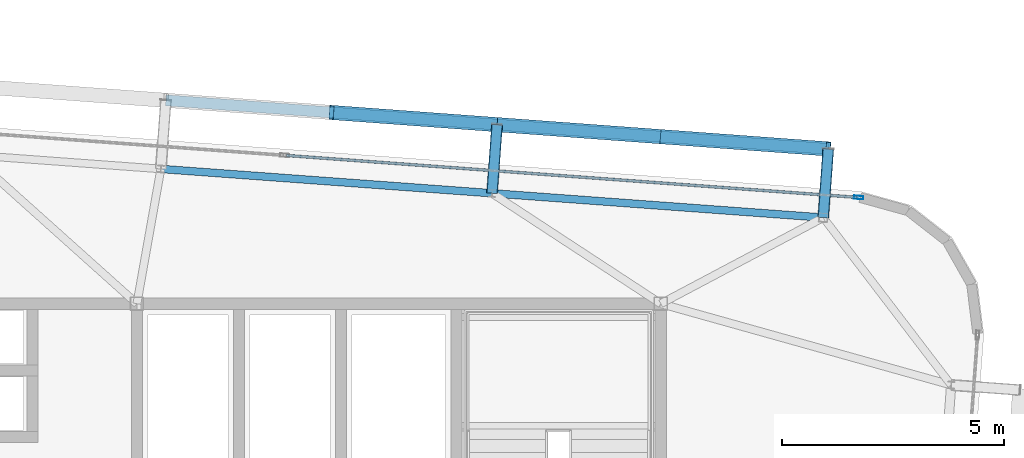
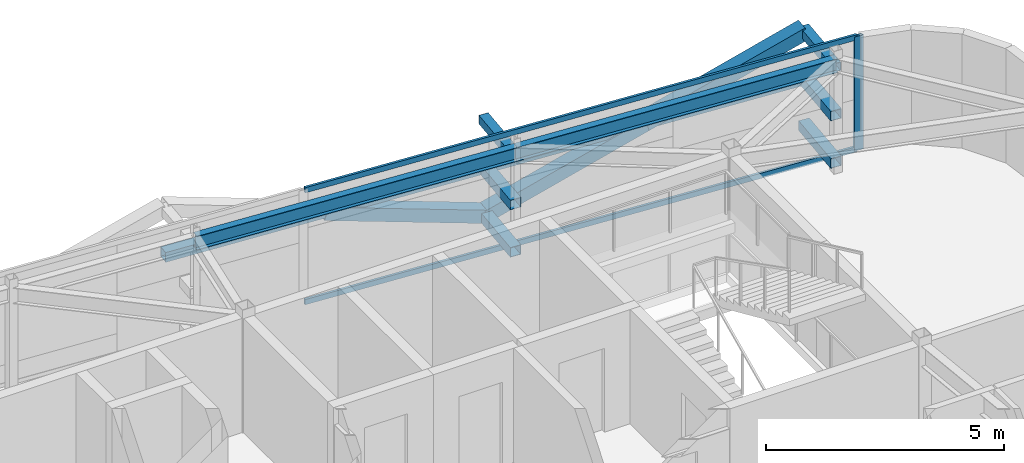
# One storey, part 22 of 34: 14 members, 2 beams, 1 element without a shape of its own.
"""IFC4 building model written with IfcOpenShell, lengths in metres."""

from ifc_helpers import new_model, si_unit, direction, frame, origin, origin_2d, place, context, subcontext, project, spatial, hollow_rectangle, i_section, extrude, source, transform, mapped, material, layer, layer_set, material_profile, profile_set, type_object, element, aggregate, save


model = new_model("IFC4")

# Units and contexts
model_context = context("Model", 3, precision=1e-05, world=origin(), true_north=direction((0.0, 1.0)))
body_context = subcontext(model_context, "Body", "Model", "MODEL_VIEW")
ifc_project = project(units=[si_unit("LENGTHUNIT", "METRE"), si_unit("AREAUNIT", "SQUARE_METRE"), si_unit("VOLUMEUNIT", "CUBIC_METRE"), si_unit("PLANEANGLEUNIT", "RADIAN"), si_unit("MASSUNIT", "GRAM", prefix="KILO")], contexts=[model_context])

# Site, building, storey
site_placement = place(None, origin())
site = spatial("IfcSite", under=ifc_project, at=site_placement, CompositionType="ELEMENT")
building_placement = place(site_placement, origin())
building = spatial("IfcBuilding", under=site, at=building_placement, Name="Taldren Reach Tower", CompositionType="ELEMENT")
storey_placement = place(building_placement, frame((0.0, 0.0, 242.89990234375)))
storey = spatial("IfcBuildingStorey", under=building, at=storey_placement, Name="L74", CompositionType="ELEMENT", Elevation=242.89990234375)

# Members
ifc_material_1 = material(Name="Steel Gr 350 (C350L0)", Category="steel")
ifc_material_profile_1 = material_profile(ifc_material_1, hollow_rectangle(XDim=0.25, YDim=0.25, WallThickness=0.010009765625, at=origin_2d()), Name="250x250x10.0SHS")
ifc_profile_set_1 = profile_set([ifc_material_profile_1], Name="Steel Gr 350 (C350L0)")
member_type_1 = type_object("IfcMemberType", Name="MB-POST250", PredefinedType="POST", material=ifc_profile_set_1)
shared_shape_1 = source(origin(), body_context, "Body", "SweptSolid", [
    extrude(hollow_rectangle(XDim=0.25, YDim=0.25, WallThickness=0.010009765625, at=origin_2d()), origin(), (0.0, 0.0, 1.0), 1.550048828125),
])
for number, where, z_axis, x_axis, name in (
    (1, (47.199462890625, 34.487548828125, 0.22021484375), (0.07323929162, 0.997314396849, 0.0), (-0.997314396849, 0.07323929162, 0.0), "Exoskeleton base diaphragm tie strut B5-N5 L74"),
    (2, (54.659423828125, 33.939697265625, 0.22021484375), (0.07323929162, 0.997314396849, 0.0), (-0.997314396849, 0.07323929162, 0.0), "Exoskeleton base diaphragm tie strut B5-N6 L74"),
    (3, (47.199462890625, 34.487548828125, 1.43505859375), (0.07323929162, 0.997314396849, 0.0), (-0.997314396849, 0.07323929162, 0.0), "Exoskeleton mid-tier diaphragm tie B5-N5 L74"),
    (4, (54.659423828125, 33.939697265625, 1.43505859375), (0.07323929162, 0.997314396849, 0.0), (-0.997314396849, 0.07323929162, 0.0), "Exoskeleton mid-tier diaphragm tie B5-N6 L74"),
):
    element("IfcMember", number, at=place(storey_placement, frame(where, z_axis=z_axis, x_axis=x_axis)), inside=storey, type_object=member_type_1, Name=name, PredefinedType="POST", context=body_context, shape_type="MappedRepresentation", body=[
        mapped(shared_shape_1, transform((0.0, 0.0, 0.0), scale=1.0)),
    ])
ifc_material_2 = material(Name="Steel Gr 450 (C450L0)", Category="steel")
ifc_material_profile_2 = material_profile(ifc_material_2, hollow_rectangle(XDim=0.219970703125, YDim=0.219970703125, WallThickness=0.00830078125, at=origin_2d()), Name="220x220x8.2SHS")
ifc_profile_set_2 = profile_set([ifc_material_profile_2], Name="Steel Gr 450 (C450L0)")
member_type_2 = type_object("IfcMemberType", Name="MB-TIE219", PredefinedType="STRUT", material=ifc_profile_set_2)
shared_shape_2 = source(origin(), body_context, "Body", "SweptSolid", [
    extrude(hollow_rectangle(XDim=0.219970703125, YDim=0.219970703125, WallThickness=0.00830078125, at=origin_2d()), origin(), (0.0, 0.0, 1.0), 1.550048828125),
])
for number, where, z_axis, x_axis, name in (
    (5, (47.199462890625, 34.487548828125, 2.650146484375), (0.07323929162, 0.997314396849, 0.0), (-0.997314396849, 0.07323929162, 0.0), "Exoskeleton diaphragm tie strut B5-N5 L74"),
    (6, (54.659423828125, 33.939697265625, 2.650146484375), (0.07323929162, 0.997314396849, 0.0), (-0.997314396849, 0.07323929162, 0.0), "Exoskeleton diaphragm tie strut B5-N6 L74"),
):
    element("IfcMember", number, at=place(storey_placement, frame(where, z_axis=z_axis, x_axis=x_axis)), inside=storey, type_object=member_type_2, Name=name, PredefinedType="STRUT", context=body_context, shape_type="MappedRepresentation", body=[
        mapped(shared_shape_2, transform((0.0, 0.0, 0.0), scale=1.0)),
    ])

# Beams
ifc_material_3 = material(Name="Steel Gr 350 (350PLUS)", Category="steel")
ifc_material_profile_3 = material_profile(ifc_material_3, i_section(OverallWidth=0.172119140625, OverallDepth=0.35888671875, WebThickness=0.008056640625, FlangeThickness=0.012939453125, at=origin_2d()), Name="360UB56.7")
ifc_profile_set_3 = profile_set([ifc_material_profile_3], Name="Steel Gr 350 (350PLUS)")
beam_type = type_object("IfcBeamType", Name="SP-UB360", PredefinedType="SPANDREL", material=ifc_profile_set_3)
shared_shape_3 = source(origin(), body_context, "Body", "SweptSolid", [
    extrude(i_section(OverallWidth=0.172119140625, OverallDepth=0.35888671875, WebThickness=0.008056640625, FlangeThickness=0.012939453125, at=origin_2d()), origin(), (0.0, 0.0, 1.0), 7.47998046875),
])
for number, where, z_axis, x_axis, name in (
    (7, (54.659423828125, 33.939697265625, 2.75048828125), (-0.997314220642, 0.07324169103, 0.0), (-0.07324169103, -0.997314220642, 0.0), "Perimeter spandrel B5 N6-N5 L74"),
    (8, (47.199462890625, 34.487548828125, 2.75048828125), (-0.997314220642, 0.07324169103, 0.0), (-0.07324169103, -0.997314220642, 0.0), "Perimeter spandrel B5 N5-N4 L74"),
):
    element("IfcBeam", number, at=place(storey_placement, frame(where, z_axis=z_axis, x_axis=x_axis)), inside=storey, type_object=beam_type, Name=name, PredefinedType="SPANDREL", context=body_context, shape_type="MappedRepresentation", body=[
        mapped(shared_shape_3, transform((0.0, 0.0, 0.0), scale=1.0)),
    ])

# Members
ifc_material_profile_4 = material_profile(ifc_material_2, hollow_rectangle(XDim=0.324951171875, YDim=0.324951171875, WallThickness=0.0126953125, at=origin_2d()), Name="325x325x12.7SHS")
ifc_profile_set_4 = profile_set([ifc_material_profile_4], Name="Steel Gr 450 (C450L0)")
member_type_3 = type_object("IfcMemberType", Name="MB-BR324", PredefinedType="BRACE", material=ifc_profile_set_4)
shared_shape_4 = source(origin(), body_context, "Body", "SweptSolid", [
    extrude(hollow_rectangle(XDim=0.324951171875, YDim=0.324951171875, WallThickness=0.0126953125, at=origin_2d()), origin(), (0.0, 0.0, 1.0), 3.932373046875),
])
for number, where, z_axis, x_axis, name in (
    (9, (47.31298828125, 36.033447265625, 0.22021484375), (-0.948529326954, 0.06965898055, 0.308933232813), (-0.07324169103, -0.997314220642, 0.0), "Exoskeleton Diagrid Brace B5-N4 L74"),
    (10, (47.31298828125, 36.033447265625, 0.22021484375), (0.948529326954, -0.06965898055, 0.308933232813), (0.07324169103, 0.997314220642, 0.0), "Exoskeleton Diagrid Brace B5-N5 L74"),
    (11, (51.04296875, 35.759521484375, 1.43505859375), (0.948511132845, -0.069657644394, 0.308989390507), (0.07324169103, 0.997314220642, 0.0), "Exoskeleton Diagrid Brace B5-N5 L74"),
):
    element("IfcMember", number, at=place(storey_placement, frame(where, z_axis=z_axis, x_axis=x_axis)), inside=storey, type_object=member_type_3, Name=name, PredefinedType="BRACE", context=body_context, shape_type="MappedRepresentation", body=[
        mapped(shared_shape_4, transform((0.0, 0.0, 0.0), scale=1.0)),
    ])
shared_shape_5 = source(origin(), body_context, "Body", "SweptSolid", [
    extrude(hollow_rectangle(XDim=0.25, YDim=0.25, WallThickness=0.010009765625, at=origin_2d()), origin(), (0.0, 0.0, 1.0), 7.47998046875),
])
for number, where, z_axis, x_axis, name in (
    (12, (39.85302734375, 36.581298828125, 1.43505859375), (0.997314220642, -0.07324169103, 0.0), (0.07324169103, 0.997314220642, 0.0), "Exoskeleton mid-height ring chord B5-N4 L74"),
    (13, (47.31298828125, 36.033447265625, 1.43505859375), (0.997314220642, -0.07324169103, 0.0), (0.07324169103, 0.997314220642, 0.0), "Exoskeleton mid-height ring chord B5-N5 L74"),
):
    element("IfcMember", number, at=place(storey_placement, frame(where, z_axis=z_axis, x_axis=x_axis)), inside=storey, type_object=member_type_1, Name=name, PredefinedType="POST", context=body_context, shape_type="MappedRepresentation", body=[
        mapped(shared_shape_5, transform((0.0, 0.0, 0.0), scale=1.0)),
    ])

# Curtain wall, members
ifc_material_4 = material(Name="Aluminium and Low-E Glass Unitised System", Category="aluminium")
ifc_layer = layer(ifc_material_4, 0.159912109375)
ifc_layer_set = layer_set([ifc_layer], Name="Aluminium and Low-E Glass Unitised System")
curtain_wall_type = type_object("IfcCurtainWallType", Name="CW-SYS-6", PredefinedType="NOTDEFINED", material=ifc_layer_set)
curtain_wall_placement = place(storey_placement, origin())
curtain_wall = element("IfcCurtainWall", 14, at=curtain_wall_placement, inside=storey, type_object=curtain_wall_type, Name="Unitised curtain wall CW-L74-N", PredefinedType="NOTDEFINED")
ifc_material_5 = material(Name="Anodised Aluminium 6063-T6", Category="aluminium")
ifc_material_profile_5 = material_profile(ifc_material_5, hollow_rectangle(XDim=0.074951171875, YDim=0.2099609375, WallThickness=0.00439453125, at=origin_2d()), Name="ALU-210x75x4.5RHS")
ifc_profile_set_5 = profile_set([ifc_material_profile_5], Name="Anodised Aluminium 6063-T6")
member_type_4 = type_object("IfcMemberType", Name="CW-MUL-200", PredefinedType="MULLION", material=ifc_profile_set_5)
shared_shape_6 = source(origin(), body_context, "Body", "SweptSolid", [
    extrude(hollow_rectangle(XDim=0.074951171875, YDim=0.2099609375, WallThickness=0.00439453125, at=origin_2d()), origin(), (0.0, 0.0, 1.0), 2.93017578125),
])
member_1_placement = place(storey_placement, frame((55.45703125, 34.392578125, 0.0), z_axis=(0.0, 0.0, 1.0), x_axis=(-0.073238213716, -0.997314476006, 0.0)))
member_1 = element("IfcMember", 15, at=member_1_placement, type_object=member_type_4, Name="CW-6 mullion 1", PredefinedType="MULLION", context=body_context, shape_type="MappedRepresentation", body=[
    mapped(shared_shape_6, transform((0.0, 0.0, 0.0), scale=1.0)),
])
ifc_material_profile_6 = material_profile(ifc_material_5, hollow_rectangle(XDim=0.06005859375, YDim=0.135009765625, WallThickness=0.00341796875, at=origin_2d()), Name="ALU-135x60x3.5RHS")
ifc_profile_set_6 = profile_set([ifc_material_profile_6], Name="Anodised Aluminium 6063-T6")
member_type_5 = type_object("IfcMemberType", Name="CW-TRN-150", PredefinedType="USERDEFINED", material=ifc_profile_set_6)
shared_shape_7 = source(origin(), body_context, "Body", "SweptSolid", [
    extrude(hollow_rectangle(XDim=0.06005859375, YDim=0.135009765625, WallThickness=0.00341796875, at=origin_2d()), origin(), (0.0, 0.0, 1.0), 12.887451171875),
])
member_2_placement = place(storey_placement, frame((55.419677734375, 34.395263671875, 0.030029296875), z_axis=(-0.997314487101, 0.07323806263, 0.0), x_axis=(-0.07323806263, -0.997314487101, 0.0)))
member_2 = element("IfcMember", 16, at=member_2_placement, type_object=member_type_5, Name="CW-6 transom 1.1", ObjectType="TRANSOM", PredefinedType="USERDEFINED", context=body_context, shape_type="MappedRepresentation", body=[
    mapped(shared_shape_7, transform((0.0, 0.0, 0.0), scale=1.0)),
])
member_3_placement = place(storey_placement, frame((55.419677734375, 34.395263671875, 2.900146484375), z_axis=(-0.997314487101, 0.07323806263, 0.0), x_axis=(-0.07323806263, -0.997314487101, 0.0)))
member_3 = element("IfcMember", 17, at=member_3_placement, type_object=member_type_5, Name="CW-6 transom 1.2", ObjectType="TRANSOM", PredefinedType="USERDEFINED", context=body_context, shape_type="MappedRepresentation", body=[
    mapped(shared_shape_7, transform((0.0, 0.0, 0.0), scale=1.0)),
])
aggregate(curtain_wall, [member_1, member_2, member_3])

save(model, "model.ifc")
